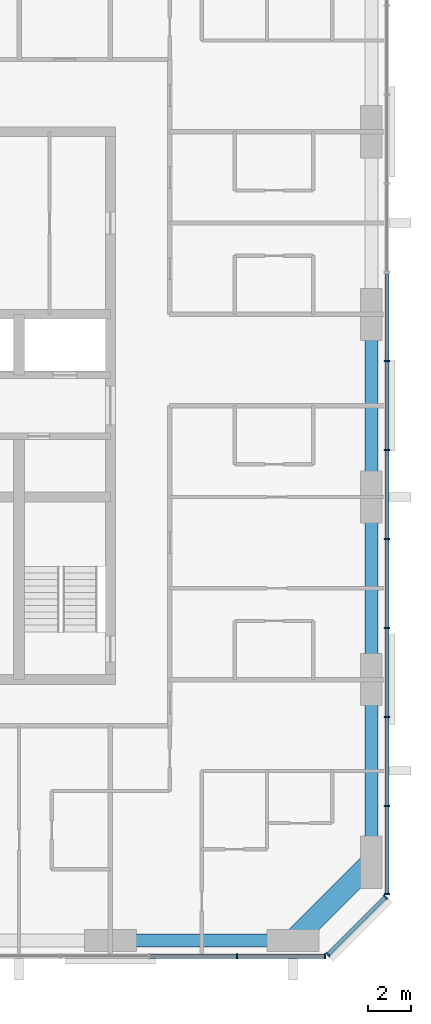
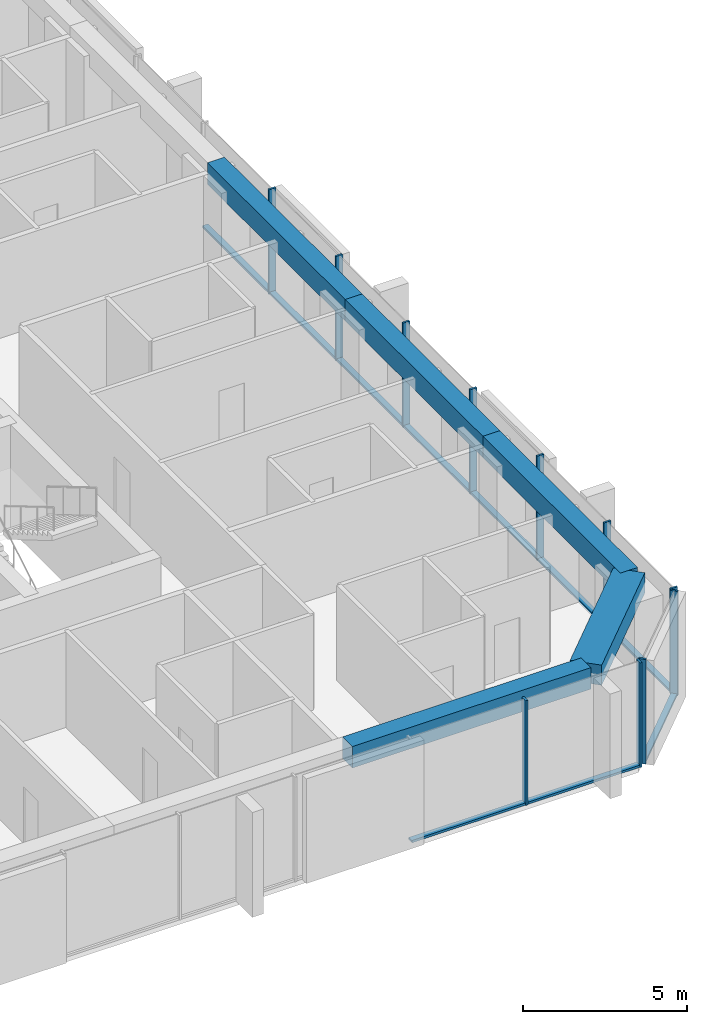
# One storey, part 3 of 12: 21 members, 5 beams, 3 elements without a shape of their own.
"""IFC4 building model written with IfcOpenShell, lengths in metres."""

from ifc_helpers import new_model, si_unit, direction, frame, origin, origin_2d, place, context, subcontext, project, spatial, rectangle, extrude, material, material_profile, profile_set, type_object, element, aggregate, save


model = new_model("IFC4")

# Units and contexts
model_context = context("Model", 3, precision=1e-05, world=origin(), true_north=direction((0.0, 1.0)))
body_context = subcontext(model_context, "Body", "Model", "MODEL_VIEW")
ifc_project = project(units=[si_unit("LENGTHUNIT", "METRE"), si_unit("AREAUNIT", "SQUARE_METRE"), si_unit("VOLUMEUNIT", "CUBIC_METRE"), si_unit("PLANEANGLEUNIT", "RADIAN"), si_unit("MASSUNIT", "GRAM", prefix="KILO")], contexts=[model_context])

# Site, building, storey
site_placement = place(None, origin())
site = spatial("IfcSite", under=ifc_project, at=site_placement, CompositionType="ELEMENT")
building_placement = place(site_placement, origin())
building = spatial("IfcBuilding", under=site, at=building_placement, Name="Dunama Terrace Hotel", CompositionType="ELEMENT")
storey_placement = place(building_placement, frame((0.0, 0.0, 256.800048828125)))
storey = spatial("IfcBuildingStorey", under=building, at=storey_placement, Name="L66", CompositionType="ELEMENT", Elevation=256.800048828125)

# Curtain wall, members
ifc_material_1 = material(Name="Aluminium curtain wall system", Category="aluminium")
curtain_wall_type = type_object("IfcCurtainWallType", Name="Unitised fritted glass wall CW-D", PredefinedType="NOTDEFINED", material=ifc_material_1)
curtain_wall_1_placement = place(storey_placement, origin())
curtain_wall_1 = element("IfcCurtainWall", 1, at=curtain_wall_1_placement, inside=storey, type_object=curtain_wall_type, Name="Unitised fritted glass wall CW-D L66", PredefinedType="NOTDEFINED")
ifc_material_2 = material(Name="Aluminium mullion", Category="aluminium")
ifc_material_profile_1 = material_profile(ifc_material_2, rectangle(XDim=0.070068359375, YDim=0.239990234375, at=origin_2d()), Name="CWD MULLION 70X240")
ifc_profile_set_1 = profile_set([ifc_material_profile_1], Name="Aluminium mullion")
member_type_1 = type_object("IfcMemberType", Name="CWD mullion 70x240", PredefinedType="MULLION", material=ifc_profile_set_1)
member_1_placement = place(storey_placement, frame((47.8330078125, 4.080078125, 0.0), z_axis=(0.0, 0.0, 1.0), x_axis=(1.0, 0.0, 0.0)))
member_1 = element("IfcMember", 2, at=member_1_placement, type_object=member_type_1, Name="CWD mullion", PredefinedType="MULLION", context=body_context, shape_type="SweptSolid", body=[
    extrude(rectangle(XDim=0.070068359375, YDim=0.239990234375, at=origin_2d()), origin(), (0.0, 0.0, 1.0), 3.89990234375),
])
member_2_placement = place(storey_placement, frame((51.864990234375, 4.080078125, 0.0), z_axis=(0.0, 0.0, 1.0), x_axis=(1.0, 0.0, 0.0)))
member_2 = element("IfcMember", 3, at=member_2_placement, type_object=member_type_1, Name="CWD mullion", PredefinedType="MULLION", context=body_context, shape_type="SweptSolid", body=[
    extrude(rectangle(XDim=0.070068359375, YDim=0.239990234375, at=origin_2d()), origin(), (0.0, 0.0, 1.0), 3.89990234375),
])

curtain_wall_2_placement = place(storey_placement, origin())
curtain_wall_2 = element("IfcCurtainWall", 4, at=curtain_wall_2_placement, inside=storey, type_object=curtain_wall_type, Name="Unitised fritted glass wall CW-D L66", PredefinedType="NOTDEFINED")
member_3_placement = place(storey_placement, frame((52.010009765625, 4.139892578125, 0.0), z_axis=(0.0, 0.0, 1.0), x_axis=(0.707106781187, 0.707106781187, 0.0)))
member_3 = element("IfcMember", 5, at=member_3_placement, type_object=member_type_1, Name="CWD mullion", PredefinedType="MULLION", context=body_context, shape_type="SweptSolid", body=[
    extrude(rectangle(XDim=0.070068359375, YDim=0.239990234375, at=origin_2d()), origin(), (0.0, 0.0, 1.0), 3.89990234375),
])
member_4_placement = place(storey_placement, frame((54.659912109375, 6.7900390625, 0.0), z_axis=(0.0, 0.0, 1.0), x_axis=(0.707106781187, 0.707106781187, 0.0)))
member_4 = element("IfcMember", 6, at=member_4_placement, type_object=member_type_1, Name="CWD mullion", PredefinedType="MULLION", context=body_context, shape_type="SweptSolid", body=[
    extrude(rectangle(XDim=0.070068359375, YDim=0.239990234375, at=origin_2d()), origin(), (0.0, 0.0, 1.0), 3.89990234375),
])

curtain_wall_3_placement = place(storey_placement, origin())
curtain_wall_3 = element("IfcCurtainWall", 7, at=curtain_wall_3_placement, inside=storey, type_object=curtain_wall_type, Name="Unitised fritted glass wall CW-D L66", PredefinedType="NOTDEFINED")
member_5_placement = place(storey_placement, frame((54.719970703125, 6.93505859375, 0.0), z_axis=(0.0, 0.0, 1.0), x_axis=(0.0, 1.0, 0.0)))
member_5 = element("IfcMember", 8, at=member_5_placement, type_object=member_type_1, Name="CWD mullion", PredefinedType="MULLION", context=body_context, shape_type="SweptSolid", body=[
    extrude(rectangle(XDim=0.070068359375, YDim=0.239990234375, at=origin_2d()), origin(), (0.0, 0.0, 1.0), 3.89990234375),
])
member_6_placement = place(storey_placement, frame((54.719970703125, 10.990966796875, 0.0), z_axis=(0.0, 0.0, 1.0), x_axis=(0.0, 1.0, 0.0)))
member_6 = element("IfcMember", 9, at=member_6_placement, type_object=member_type_1, Name="CWD mullion", PredefinedType="MULLION", context=body_context, shape_type="SweptSolid", body=[
    extrude(rectangle(XDim=0.070068359375, YDim=0.239990234375, at=origin_2d()), origin(), (0.0, 0.0, 1.0), 3.89990234375),
])
member_7_placement = place(storey_placement, frame((54.719970703125, 15.08203125, 0.0), z_axis=(0.0, 0.0, 1.0), x_axis=(0.0, 1.0, 0.0)))
member_7 = element("IfcMember", 10, at=member_7_placement, type_object=member_type_1, Name="CWD mullion", PredefinedType="MULLION", context=body_context, shape_type="SweptSolid", body=[
    extrude(rectangle(XDim=0.070068359375, YDim=0.239990234375, at=origin_2d()), origin(), (0.0, 0.0, 1.0), 3.89990234375),
])
member_8_placement = place(storey_placement, frame((54.719970703125, 19.173095703125, 0.0), z_axis=(0.0, 0.0, 1.0), x_axis=(0.0, 1.0, 0.0)))
member_8 = element("IfcMember", 11, at=member_8_placement, type_object=member_type_1, Name="CWD mullion", PredefinedType="MULLION", context=body_context, shape_type="SweptSolid", body=[
    extrude(rectangle(XDim=0.070068359375, YDim=0.239990234375, at=origin_2d()), origin(), (0.0, 0.0, 1.0), 3.89990234375),
])
member_9_placement = place(storey_placement, frame((54.719970703125, 23.263916015625, 0.0), z_axis=(0.0, 0.0, 1.0), x_axis=(0.0, 1.0, 0.0)))
member_9 = element("IfcMember", 12, at=member_9_placement, type_object=member_type_1, Name="CWD mullion", PredefinedType="MULLION", context=body_context, shape_type="SweptSolid", body=[
    extrude(rectangle(XDim=0.070068359375, YDim=0.239990234375, at=origin_2d()), origin(), (0.0, 0.0, 1.0), 3.89990234375),
])
member_10_placement = place(storey_placement, frame((54.719970703125, 27.35498046875, 0.0), z_axis=(0.0, 0.0, 1.0), x_axis=(0.0, 1.0, 0.0)))
member_10 = element("IfcMember", 13, at=member_10_placement, type_object=member_type_1, Name="CWD mullion", PredefinedType="MULLION", context=body_context, shape_type="SweptSolid", body=[
    extrude(rectangle(XDim=0.070068359375, YDim=0.239990234375, at=origin_2d()), origin(), (0.0, 0.0, 1.0), 3.89990234375),
])
member_11_placement = place(storey_placement, frame((54.719970703125, 31.445068359375, 0.0), z_axis=(0.0, 0.0, 1.0), x_axis=(0.0, 1.0, 0.0)))
member_11 = element("IfcMember", 14, at=member_11_placement, type_object=member_type_1, Name="CWD mullion", PredefinedType="MULLION", context=body_context, shape_type="SweptSolid", body=[
    extrude(rectangle(XDim=0.070068359375, YDim=0.239990234375, at=origin_2d()), origin(), (0.0, 0.0, 1.0), 3.89990234375),
])

# Member
ifc_material_3 = material(Name="Aluminium transom", Category="aluminium")
ifc_material_profile_2 = material_profile(ifc_material_3, rectangle(XDim=0.199951171875, YDim=0.0849609375, at=origin_2d()), Name="CWD TRANSOM 200X85")
ifc_profile_set_2 = profile_set([ifc_material_profile_2], Name="Aluminium transom")
member_type_2 = type_object("IfcMemberType", Name="CWD transom 200x85", PredefinedType="USERDEFINED", material=ifc_profile_set_2)
member_12_placement = place(storey_placement, frame((43.802001953125, 4.080078125, 0.04248046875), z_axis=(1.0, 0.0, 0.0), x_axis=(0.0, 1.0, 0.0)))
member_12 = element("IfcMember", 15, at=member_12_placement, type_object=member_type_2, Name="CWD transom", ObjectType="TRANSOM", PredefinedType="USERDEFINED", context=body_context, shape_type="SweptSolid", body=[
    extrude(rectangle(XDim=0.199951171875, YDim=0.0849609375, at=origin_2d()), origin(), (0.0, 0.0, 1.0), 3.99609375),
])

member_13_placement = place(storey_placement, frame((47.867919921875, 4.080078125, 0.04248046875), z_axis=(1.0, 0.0, 0.0), x_axis=(0.0, 1.0, 0.0)))
member_13 = element("IfcMember", 16, at=member_13_placement, type_object=member_type_2, Name="CWD transom", ObjectType="TRANSOM", PredefinedType="USERDEFINED", context=body_context, shape_type="SweptSolid", body=[
    extrude(rectangle(XDim=0.199951171875, YDim=0.0849609375, at=origin_2d()), origin(), (0.0, 0.0, 1.0), 3.962158203125),
])

aggregate(curtain_wall_1, [member_1, member_2, member_12, member_13])

member_14_placement = place(storey_placement, frame((52.033935546875, 4.1650390625, 0.04248046875), z_axis=(0.707106781187, 0.707106781187, 0.0), x_axis=(-0.707106781187, 0.707106781187, 0.0)))
member_14 = element("IfcMember", 17, at=member_14_placement, type_object=member_type_2, Name="CWD transom", ObjectType="TRANSOM", PredefinedType="USERDEFINED", context=body_context, shape_type="SweptSolid", body=[
    extrude(rectangle(XDim=0.199951171875, YDim=0.0849609375, at=origin_2d()), origin(), (0.0, 0.0, 1.0), 3.678466796875),
])

aggregate(curtain_wall_2, [member_3, member_4, member_14])

member_15_placement = place(storey_placement, frame((54.719970703125, 6.969970703125, 0.04248046875), z_axis=(0.0, 1.0, 0.0), x_axis=(-1.0, 0.0, 0.0)))
member_15 = element("IfcMember", 18, at=member_15_placement, type_object=member_type_2, Name="CWD transom", ObjectType="TRANSOM", PredefinedType="USERDEFINED", context=body_context, shape_type="SweptSolid", body=[
    extrude(rectangle(XDim=0.199951171875, YDim=0.0849609375, at=origin_2d()), origin(), (0.0, 0.0, 1.0), 3.986083984375),
])

member_16_placement = place(storey_placement, frame((54.719970703125, 11.02587890625, 0.04248046875), z_axis=(0.0, 1.0, 0.0), x_axis=(-1.0, 0.0, 0.0)))
member_16 = element("IfcMember", 19, at=member_16_placement, type_object=member_type_2, Name="CWD transom", ObjectType="TRANSOM", PredefinedType="USERDEFINED", context=body_context, shape_type="SweptSolid", body=[
    extrude(rectangle(XDim=0.199951171875, YDim=0.0849609375, at=origin_2d()), origin(), (0.0, 0.0, 1.0), 4.021240234375),
])

member_17_placement = place(storey_placement, frame((54.719970703125, 15.116943359375, 0.04248046875), z_axis=(0.0, 1.0, 0.0), x_axis=(-1.0, 0.0, 0.0)))
member_17 = element("IfcMember", 20, at=member_17_placement, type_object=member_type_2, Name="CWD transom", ObjectType="TRANSOM", PredefinedType="USERDEFINED", context=body_context, shape_type="SweptSolid", body=[
    extrude(rectangle(XDim=0.199951171875, YDim=0.0849609375, at=origin_2d()), origin(), (0.0, 0.0, 1.0), 4.02099609375),
])

member_18_placement = place(storey_placement, frame((54.719970703125, 19.2080078125, 0.04248046875), z_axis=(0.0, 1.0, 0.0), x_axis=(-1.0, 0.0, 0.0)))
member_18 = element("IfcMember", 21, at=member_18_placement, type_object=member_type_2, Name="CWD transom", ObjectType="TRANSOM", PredefinedType="USERDEFINED", context=body_context, shape_type="SweptSolid", body=[
    extrude(rectangle(XDim=0.199951171875, YDim=0.0849609375, at=origin_2d()), origin(), (0.0, 0.0, 1.0), 4.02099609375),
])

member_19_placement = place(storey_placement, frame((54.719970703125, 23.299072265625, 0.04248046875), z_axis=(0.0, 1.0, 0.0), x_axis=(-1.0, 0.0, 0.0)))
member_19 = element("IfcMember", 22, at=member_19_placement, type_object=member_type_2, Name="CWD transom", ObjectType="TRANSOM", PredefinedType="USERDEFINED", context=body_context, shape_type="SweptSolid", body=[
    extrude(rectangle(XDim=0.199951171875, YDim=0.0849609375, at=origin_2d()), origin(), (0.0, 0.0, 1.0), 4.02099609375),
])

member_20_placement = place(storey_placement, frame((54.719970703125, 27.389892578125, 0.04248046875), z_axis=(0.0, 1.0, 0.0), x_axis=(-1.0, 0.0, 0.0)))
member_20 = element("IfcMember", 23, at=member_20_placement, type_object=member_type_2, Name="CWD transom", ObjectType="TRANSOM", PredefinedType="USERDEFINED", context=body_context, shape_type="SweptSolid", body=[
    extrude(rectangle(XDim=0.199951171875, YDim=0.0849609375, at=origin_2d()), origin(), (0.0, 0.0, 1.0), 4.02001953125),
])

member_21_placement = place(storey_placement, frame((54.719970703125, 31.47998046875, 0.04248046875), z_axis=(0.0, 1.0, 0.0), x_axis=(-1.0, 0.0, 0.0)))
member_21 = element("IfcMember", 24, at=member_21_placement, type_object=member_type_2, Name="CWD transom", ObjectType="TRANSOM", PredefinedType="USERDEFINED", context=body_context, shape_type="SweptSolid", body=[
    extrude(rectangle(XDim=0.199951171875, YDim=0.0849609375, at=origin_2d()), origin(), (0.0, 0.0, 1.0), 4.02099609375),
])

aggregate(curtain_wall_3, [member_5, member_6, member_7, member_8, member_9, member_10, member_11, member_15, member_16, member_17, member_18, member_19, member_20, member_21])

# Beams
ifc_material_4 = material(Name="Concrete C50/60", Category="concrete")
ifc_material_profile_3 = material_profile(ifc_material_4, rectangle(XDim=1.0, YDim=0.75, at=origin_2d()), Name="RC 1000x750")
ifc_profile_set_3 = profile_set([ifc_material_profile_3], Name="Concrete C50/60")
beam_type_1 = type_object("IfcBeamType", Name="Edge beam RC 1000x750", PredefinedType="SPANDREL", material=ifc_profile_set_3)
beam_1_placement = place(storey_placement, frame((50.39990234375, 4.800048828125, 3.52490234375), z_axis=(0.707130757816, 0.707082803744, 0.0), x_axis=(-0.707082803744, 0.707130757816, 0.0)))
element("IfcBeam", 25, at=beam_1_placement, inside=storey, type_object=beam_type_1, Name="Corner edge beam under L67", PredefinedType="SPANDREL", context=body_context, shape_type="SweptSolid", body=[
    extrude(rectangle(XDim=1.0, YDim=0.75, at=origin_2d()), origin(), (0.0, 0.0, 1.0), 5.091064453125),
])
ifc_material_5 = material(Name="Concrete C40/50", Category="concrete")
ifc_material_profile_4 = material_profile(ifc_material_5, rectangle(XDim=0.60009765625, YDim=0.800048828125, at=origin_2d()), Name="RC 600x800")
ifc_profile_set_4 = profile_set([ifc_material_profile_4], Name="Concrete C40/50")
beam_type_2 = type_object("IfcBeamType", Name="Edge beam RC 600x800", PredefinedType="SPANDREL", material=ifc_profile_set_4)
beam_2_placement = place(storey_placement, frame((54.0, 8.39990234375, 3.5), z_axis=(0.0, 1.0, 0.0), x_axis=(-1.0, 0.0, 0.0)))
element("IfcBeam", 26, at=beam_2_placement, inside=storey, type_object=beam_type_2, Name="Edge beam under L67", PredefinedType="SPANDREL", context=body_context, shape_type="SweptSolid", body=[
    extrude(rectangle(XDim=0.60009765625, YDim=0.800048828125, at=origin_2d()), origin(), (0.0, 0.0, 1.0), 8.400146484375),
])
beam_3_placement = place(storey_placement, frame((54.0, 16.800048828125, 3.5), z_axis=(0.0, 1.0, 0.0), x_axis=(-1.0, 0.0, 0.0)))
element("IfcBeam", 27, at=beam_3_placement, inside=storey, type_object=beam_type_2, Name="Edge beam under L67", PredefinedType="SPANDREL", context=body_context, shape_type="SweptSolid", body=[
    extrude(rectangle(XDim=0.60009765625, YDim=0.800048828125, at=origin_2d()), origin(), (0.0, 0.0, 1.0), 8.39990234375),
])
beam_4_placement = place(storey_placement, frame((54.0, 25.199951171875, 3.5), z_axis=(0.0, 1.0, 0.0), x_axis=(-1.0, 0.0, 0.0)))
element("IfcBeam", 28, at=beam_4_placement, inside=storey, type_object=beam_type_2, Name="Edge beam under L67", PredefinedType="SPANDREL", context=body_context, shape_type="SweptSolid", body=[
    extrude(rectangle(XDim=0.60009765625, YDim=0.800048828125, at=origin_2d()), origin(), (0.0, 0.0, 1.0), 8.400146484375),
])
beam_5_placement = place(storey_placement, frame((42.0, 4.800048828125, 3.5), z_axis=(1.0, 0.0, 0.0), x_axis=(0.0, 1.0, 0.0)))
element("IfcBeam", 29, at=beam_5_placement, inside=storey, type_object=beam_type_2, Name="Edge beam under L67", PredefinedType="SPANDREL", context=body_context, shape_type="SweptSolid", body=[
    extrude(rectangle(XDim=0.60009765625, YDim=0.800048828125, at=origin_2d()), origin(), (0.0, 0.0, 1.0), 8.39990234375),
])

save(model, "model.ifc")
